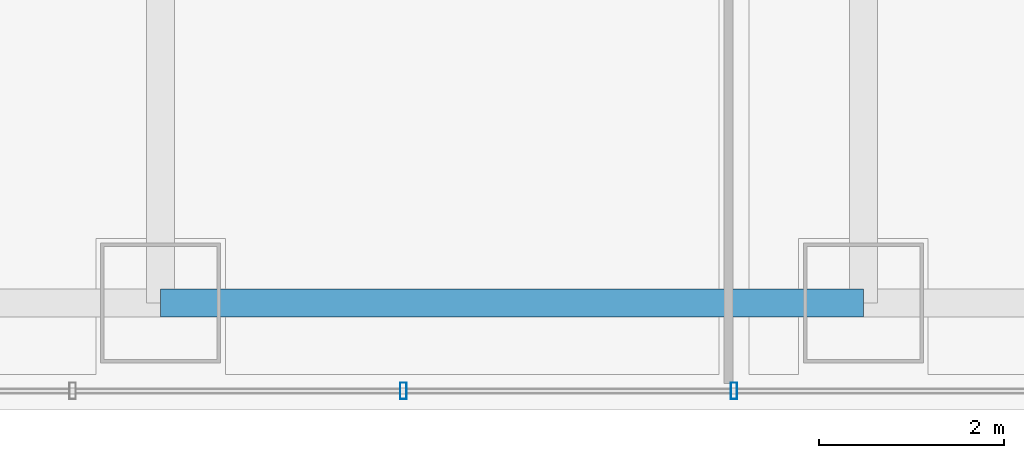
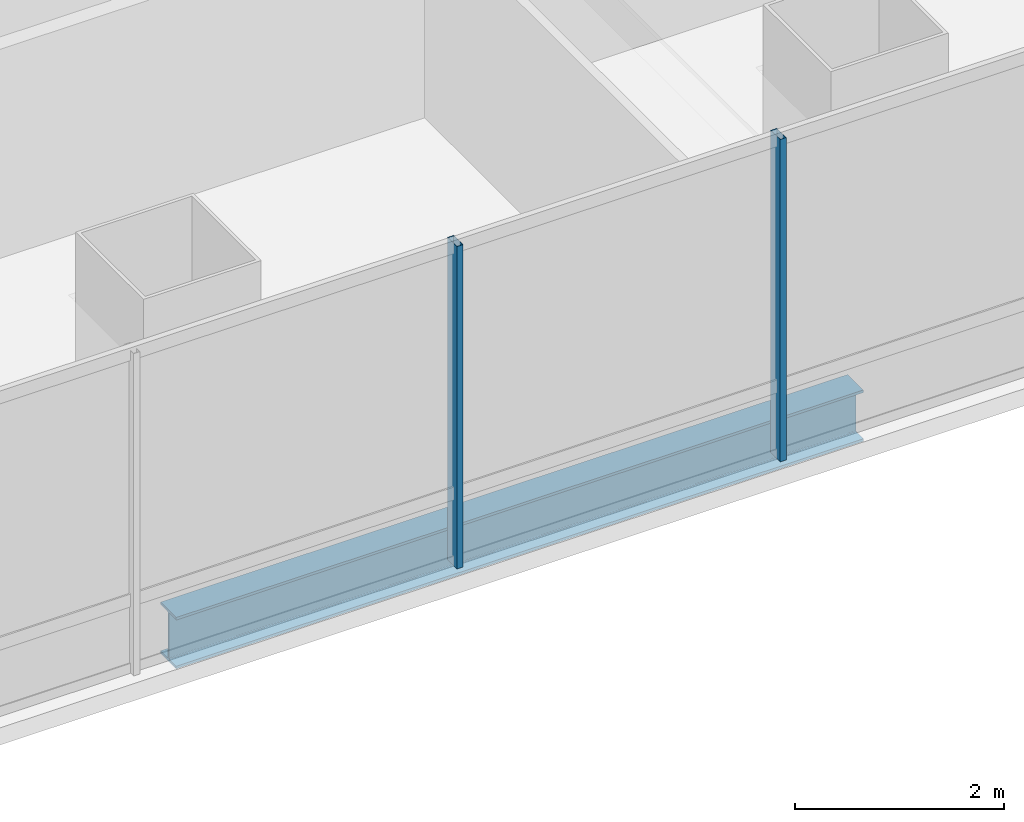
# One storey, part 5 of 51: 2 members, 1 beam, 1 element without a shape of its own.
"""IFC4 building model written with IfcOpenShell, lengths in metres."""

from ifc_helpers import new_model, si_unit, direction, frame, origin, origin_2d, place, context, subcontext, project, spatial, hollow_rectangle, i_section, extrude, material, material_profile, profile_set, type_object, element, aggregate, save


model = new_model("IFC4")

# Units and contexts
model_context = context("Model", 3, precision=1e-05, world=origin(), true_north=direction((0.0, 1.0)))
body_context = subcontext(model_context, "Body", "Model", "MODEL_VIEW")
ifc_project = project(units=[si_unit("LENGTHUNIT", "METRE"), si_unit("AREAUNIT", "SQUARE_METRE"), si_unit("VOLUMEUNIT", "CUBIC_METRE"), si_unit("PLANEANGLEUNIT", "RADIAN"), si_unit("MASSUNIT", "GRAM", prefix="KILO")], contexts=[model_context])

# Site, building, storey
site_placement = place(None, origin())
site = spatial("IfcSite", under=ifc_project, at=site_placement, CompositionType="ELEMENT")
building_placement = place(site_placement, origin())
building = spatial("IfcBuilding", under=site, at=building_placement, Name="Punatoya Terracotta Tower", CompositionType="ELEMENT")
storey_placement = place(building_placement, frame((0.0, 0.0, 279.75)))
storey = spatial("IfcBuildingStorey", under=building, at=storey_placement, Name="L66", CompositionType="ELEMENT", Elevation=279.75)

# Beam
ifc_material_1 = material(Name="Steel S355", Category="steel")
ifc_material_profile_1 = material_profile(ifc_material_1, i_section(OverallWidth=0.300048828125, OverallDepth=0.60009765625, WebThickness=0.015380859375, FlangeThickness=0.030029296875, FilletRadius=0.01806640625, at=origin_2d()))
ifc_profile_set_1 = profile_set([ifc_material_profile_1], Name="Steel S355")
beam_type = type_object("IfcBeamType", Name="BM-PRI-600", PredefinedType="BEAM", material=ifc_profile_set_1)
beam_placement = place(storey_placement, frame((-3.800048828125, -17.5, -0.5), z_axis=(1.0, 0.0, 0.0), x_axis=(0.0, 1.0, 0.0)))
element("IfcBeam", 1, at=beam_placement, inside=storey, type_object=beam_type, Name="BM-L66-RG-S2", PredefinedType="BEAM", context=body_context, shape_type="SweptSolid", body=[
    extrude(i_section(OverallWidth=0.300048828125, OverallDepth=0.60009765625, WebThickness=0.015380859375, FlangeThickness=0.030029296875, FilletRadius=0.01806640625, at=origin_2d()), origin(), (0.0, 0.0, 1.0), 7.60009765625),
])

# Curtain wall, members
ifc_material_2 = material(Name="Aluminium 6063-T6 + Double Low-E Glass", Category="aluminium")
curtain_wall_type = type_object("IfcCurtainWallType", Name="CW-M3", PredefinedType="NOTDEFINED", material=ifc_material_2)
curtain_wall_placement = place(storey_placement, origin())
curtain_wall = element("IfcCurtainWall", 2, at=curtain_wall_placement, inside=storey, type_object=curtain_wall_type, Name="L66 Curtain Wall CW-L66-S01-1", PredefinedType="NOTDEFINED")
ifc_material_3 = material(Name="Aluminium 6063-T6", Category="aluminium")
ifc_material_profile_2 = material_profile(ifc_material_3, hollow_rectangle(XDim=0.070068359375, YDim=0.179931640625, WallThickness=0.00390625, at=origin_2d()))
ifc_profile_set_2 = profile_set([ifc_material_profile_2], Name="Aluminium 6063-T6")
member_type = type_object("IfcMemberType", Name="CW-MUL-M3", PredefinedType="MULLION", material=ifc_profile_set_2)
member_1_placement = place(storey_placement, frame((-1.175048828125, -18.449951171875, 0.0), z_axis=(0.0, 0.0, 1.0), x_axis=(1.0, 0.0, 0.0)))
member_1 = element("IfcMember", 3, at=member_1_placement, type_object=member_type, Name="CW-L66-S01-1 Mullion 03", PredefinedType="MULLION", context=body_context, shape_type="SweptSolid", body=[
    extrude(hollow_rectangle(XDim=0.070068359375, YDim=0.179931640625, WallThickness=0.00390625, at=origin_2d()), origin(), (0.0, 0.0, 1.0), 3.77001953125),
])
member_2_placement = place(storey_placement, frame((2.39990234375, -18.449951171875, 0.0), z_axis=(0.0, 0.0, 1.0), x_axis=(1.0, 0.0, 0.0)))
member_2 = element("IfcMember", 4, at=member_2_placement, type_object=member_type, Name="CW-L66-S01-1 Mullion 04", PredefinedType="MULLION", context=body_context, shape_type="SweptSolid", body=[
    extrude(hollow_rectangle(XDim=0.070068359375, YDim=0.179931640625, WallThickness=0.00390625, at=origin_2d()), origin(), (0.0, 0.0, 1.0), 3.77001953125),
])
aggregate(curtain_wall, [member_1, member_2])

save(model, "model.ifc")
